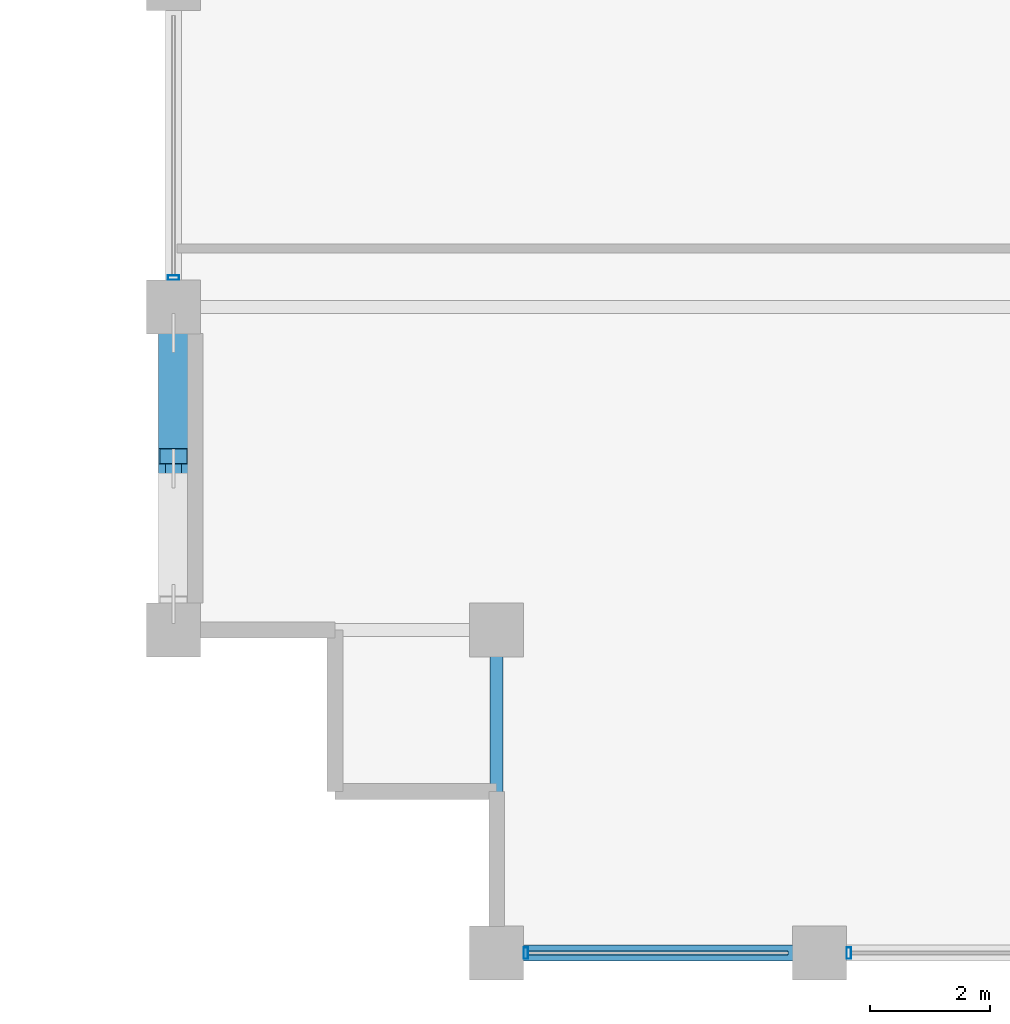
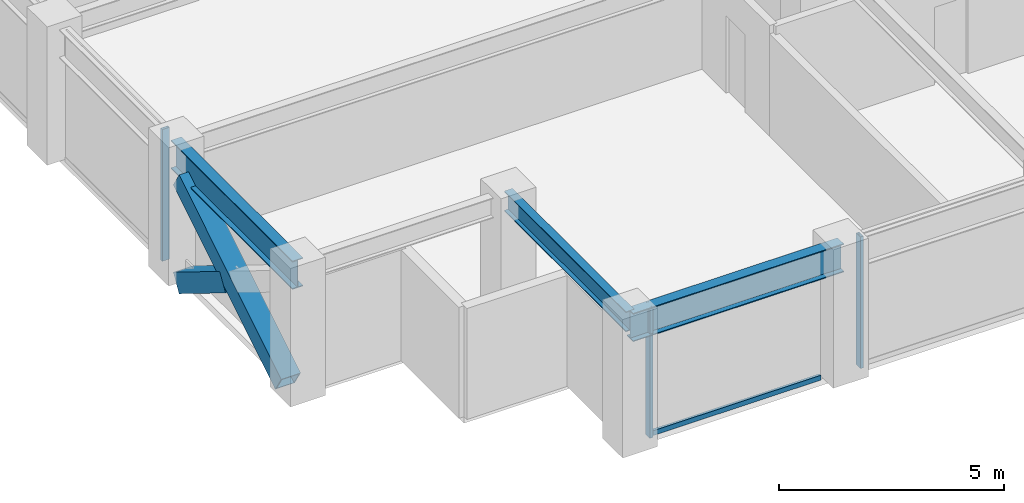
# One storey, part 2 of 28: 6 members, 3 beams, 2 elements without a shape of their own.
"""IFC4 building model written with IfcOpenShell, lengths in metres."""

from ifc_helpers import new_model, si_unit, direction, frame, origin, origin_2d, place, context, subcontext, project, spatial, hollow_rectangle, i_section, extrude, material, layer, layer_set, material_profile, profile_set, type_object, element, aggregate, save


model = new_model("IFC4")

# Units and contexts
model_context = context("Model", 3, precision=1e-05, world=origin(), true_north=direction((0.0, 1.0)))
body_context = subcontext(model_context, "Body", "Model", "MODEL_VIEW")
ifc_project = project(units=[si_unit("LENGTHUNIT", "METRE"), si_unit("AREAUNIT", "SQUARE_METRE"), si_unit("VOLUMEUNIT", "CUBIC_METRE"), si_unit("PLANEANGLEUNIT", "RADIAN"), si_unit("MASSUNIT", "GRAM", prefix="KILO")], contexts=[model_context])

# Site, building, storey
site_placement = place(None, origin())
site = spatial("IfcSite", under=ifc_project, at=site_placement, CompositionType="ELEMENT")
building_placement = place(site_placement, origin())
building = spatial("IfcBuilding", under=site, at=building_placement, Name="Surkhivell Harbour Commons", CompositionType="ELEMENT")
storey_placement = place(building_placement, frame((0.0, 0.0, 174.75)))
storey = spatial("IfcBuildingStorey", under=building, at=storey_placement, Name="L45", CompositionType="ELEMENT", Elevation=174.75)

# Beams
ifc_material_1 = material(Name="Steel S355", Category="steel")
ifc_material_profile_1 = material_profile(ifc_material_1, i_section(OverallWidth=0.2119140625, OverallDepth=0.5439453125, WebThickness=0.0126953125, FlangeThickness=0.021240234375, at=origin_2d()), Name="UB533x210x122")
ifc_profile_set_1 = profile_set([ifc_material_profile_1], Name="Steel S355")
beam_type_1 = type_object("IfcBeamType", Name="BM-GRD-533A", PredefinedType="BEAM", material=ifc_profile_set_1)
beam_1_placement = place(storey_placement, frame((-21.60009765625, -21.60009765625, 3.298095703125), z_axis=(0.0, 1.0, 0.0), x_axis=(-1.0, 0.0, 0.0)))
element("IfcBeam", 1, at=beam_1_placement, inside=storey, type_object=beam_type_1, Name="L45 Floor Girder (-21.6,-21.6)", PredefinedType="BEAM", context=body_context, shape_type="SweptSolid", body=[
    extrude(i_section(OverallWidth=0.2119140625, OverallDepth=0.5439453125, WebThickness=0.0126953125, FlangeThickness=0.021240234375, at=origin_2d()), origin(), (0.0, 0.0, 1.0), 5.400146484375),
])
ifc_material_profile_2 = material_profile(ifc_material_1, i_section(OverallWidth=0.26806640625, OverallDepth=0.77001953125, WebThickness=0.015625, FlangeThickness=0.025390625, at=origin_2d()), Name="UB762x267x197")
ifc_profile_set_2 = profile_set([ifc_material_profile_2], Name="Steel S355")
beam_type_2 = type_object("IfcBeamType", Name="BM-SPN-762", PredefinedType="SPANDREL", material=ifc_profile_set_2)
beam_2_placement = place(storey_placement, frame((-27.0, -16.199951171875, 3.18505859375), z_axis=(0.0, 1.0, 0.0), x_axis=(-1.0, 0.0, 0.0)))
element("IfcBeam", 2, at=beam_2_placement, inside=storey, type_object=beam_type_2, Name="L45 Tube Spandrel (-27.0,-16.2)", PredefinedType="SPANDREL", context=body_context, shape_type="SweptSolid", body=[
    extrude(i_section(OverallWidth=0.26806640625, OverallDepth=0.77001953125, WebThickness=0.015625, FlangeThickness=0.025390625, at=origin_2d()), origin(), (0.0, 0.0, 1.0), 5.39990234375),
])
beam_3_placement = place(storey_placement, frame((-21.60009765625, -21.60009765625, 3.18505859375), z_axis=(1.0, 0.0, 0.0), x_axis=(0.0, 1.0, 0.0)))
element("IfcBeam", 3, at=beam_3_placement, inside=storey, type_object=beam_type_2, Name="L45 Tube Spandrel (-21.6,-21.6)", PredefinedType="SPANDREL", context=body_context, shape_type="SweptSolid", body=[
    extrude(i_section(OverallWidth=0.26806640625, OverallDepth=0.77001953125, WebThickness=0.015625, FlangeThickness=0.025390625, at=origin_2d()), origin(), (0.0, 0.0, 1.0), 5.400146484375),
])

# Curtain wall, members
ifc_material_2 = material(Name="Anodised pale-metal aluminium and insulated glazing", Category="aluminium")
ifc_layer = layer(ifc_material_2, 0.18994140625)
ifc_layer_set = layer_set([ifc_layer], Name="Anodised pale-metal aluminium and insulated glazing")
curtain_wall_type = type_object("IfcCurtainWallType", Name="CW-SYS-Z3", PredefinedType="NOTDEFINED", material=ifc_layer_set)
curtain_wall_1_placement = place(storey_placement, origin())
curtain_wall_1 = element("IfcCurtainWall", 4, at=curtain_wall_1_placement, inside=storey, type_object=curtain_wall_type, Name="L45 Curtain Wall CW-L45-E00S1", PredefinedType="NOTDEFINED")
ifc_material_3 = material(Name="Anodised pale-metal aluminium alloy 6063-T6", Category="aluminium")
ifc_material_profile_3 = material_profile(ifc_material_3, hollow_rectangle(XDim=0.074951171875, YDim=0.18994140625, WallThickness=0.00390625, at=origin_2d()), Name="ALU-MULL-75x190")
ifc_profile_set_3 = profile_set([ifc_material_profile_3], Name="Anodised pale-metal aluminium alloy 6063-T6")
member_type_1 = type_object("IfcMemberType", Name="CWM-190", PredefinedType="MULLION", material=ifc_profile_set_3)
member_1_placement = place(storey_placement, frame((-21.110595703125, -21.60009765625, 0.0), z_axis=(0.0, 0.0, 1.0), x_axis=(1.0, 0.0, 0.0)))
member_1 = element("IfcMember", 5, at=member_1_placement, type_object=member_type_1, Name="CW-Z3 mullion 1", PredefinedType="MULLION", context=body_context, shape_type="SweptSolid", body=[
    extrude(hollow_rectangle(XDim=0.074951171875, YDim=0.18994140625, WallThickness=0.00390625, at=origin_2d()), origin(), (0.0, 0.0, 1.0), 3.570068359375),
])
member_2_placement = place(storey_placement, frame((-15.71044921875, -21.60009765625, 0.0), z_axis=(0.0, 0.0, 1.0), x_axis=(1.0, 0.0, 0.0)))
member_2 = element("IfcMember", 6, at=member_2_placement, type_object=member_type_1, Name="CW-Z3 mullion 2", PredefinedType="MULLION", context=body_context, shape_type="SweptSolid", body=[
    extrude(hollow_rectangle(XDim=0.074951171875, YDim=0.18994140625, WallThickness=0.00390625, at=origin_2d()), origin(), (0.0, 0.0, 1.0), 3.570068359375),
])

# Curtain wall, member
curtain_wall_2_placement = place(storey_placement, origin())
curtain_wall_2 = element("IfcCurtainWall", 7, at=curtain_wall_2_placement, inside=storey, type_object=curtain_wall_type, Name="L45 Curtain Wall CW-L45-E12R1S1", PredefinedType="NOTDEFINED")
member_3_placement = place(storey_placement, frame((-27.0, -10.310546875, 0.0), z_axis=(0.0, 0.0, 1.0), x_axis=(0.0, 1.0, 0.0)))
member_3 = element("IfcMember", 8, at=member_3_placement, type_object=member_type_1, Name="CW-Z3 mullion 1", PredefinedType="MULLION", context=body_context, shape_type="SweptSolid", body=[
    extrude(hollow_rectangle(XDim=0.074951171875, YDim=0.18994140625, WallThickness=0.00390625, at=origin_2d()), origin(), (0.0, 0.0, 1.0), 3.570068359375),
])
aggregate(curtain_wall_2, [member_3])

# Member
ifc_material_4 = material(Name="Champagne anodised aluminium alloy 6063-T6", Category="aluminium")
ifc_material_profile_4 = material_profile(ifc_material_4, hollow_rectangle(XDim=0.070068359375, YDim=0.1298828125, WallThickness=0.00341796875, at=origin_2d()), Name="ALU-TRAN-70x130")
ifc_profile_set_4 = profile_set([ifc_material_profile_4], Name="Champagne anodised aluminium alloy 6063-T6")
member_type_2 = type_object("IfcMemberType", Name="CWT-130", PredefinedType="USERDEFINED", material=ifc_profile_set_4)
member_4_placement = place(storey_placement, frame((-21.072998046875, -21.60009765625, 0.06494140625), z_axis=(1.0, 0.0, 0.0), x_axis=(0.0, 1.0, 0.0)))
member_4 = element("IfcMember", 9, at=member_4_placement, type_object=member_type_2, Name="CW-Z3 transom 1.1", ObjectType="TRANSOM", PredefinedType="USERDEFINED", context=body_context, shape_type="SweptSolid", body=[
    extrude(hollow_rectangle(XDim=0.070068359375, YDim=0.1298828125, WallThickness=0.00341796875, at=origin_2d()), origin(), (0.0, 0.0, 1.0), 4.345947265625),
])

aggregate(curtain_wall_1, [member_1, member_4, member_2])

# Members
ifc_material_5 = material(Name="Steel S460", Category="steel")
ifc_material_profile_5 = material_profile(ifc_material_5, hollow_rectangle(XDim=0.5, YDim=0.5, WallThickness=0.02490234375, at=origin_2d()), Name="SHS500x500x25")
ifc_profile_set_5 = profile_set([ifc_material_profile_5], Name="Steel S460")
member_type_3 = type_object("IfcMemberType", Name="MEM-BRC-SHS500", PredefinedType="BRACE", material=ifc_profile_set_5)
member_5_placement = place(storey_placement, frame((-27.0, -15.764892578125, 0.008056640625), z_axis=(0.0, 0.850958380769, 0.525233123669), x_axis=(-1.0, 0.0, 0.0)))
element("IfcMember", 10, at=member_5_placement, inside=storey, type_object=member_type_3, Name="L45 Perimeter Mega-Brace MB- 10", PredefinedType="BRACE", context=body_context, shape_type="SweptSolid", body=[
    extrude(hollow_rectangle(XDim=0.5, YDim=0.5, WallThickness=0.02490234375, at=origin_2d()), origin(), (0.0, 0.0, 1.0), 5.3232421875),
])
member_6_placement = place(storey_placement, frame((-27.0, -11.235107421875, 0.008056640625), z_axis=(0.0, -0.8510034189, 0.525160147974), x_axis=(1.0, 0.0, 0.0)))
element("IfcMember", 11, at=member_6_placement, inside=storey, type_object=member_type_3, Name="L45 Perimeter Mega-Brace MB- 11", PredefinedType="BRACE", context=body_context, shape_type="SweptSolid", body=[
    extrude(hollow_rectangle(XDim=0.5, YDim=0.5, WallThickness=0.02490234375, at=origin_2d()), origin(), (0.0, 0.0, 1.0), 2.421630859375),
])

save(model, "model.ifc")
